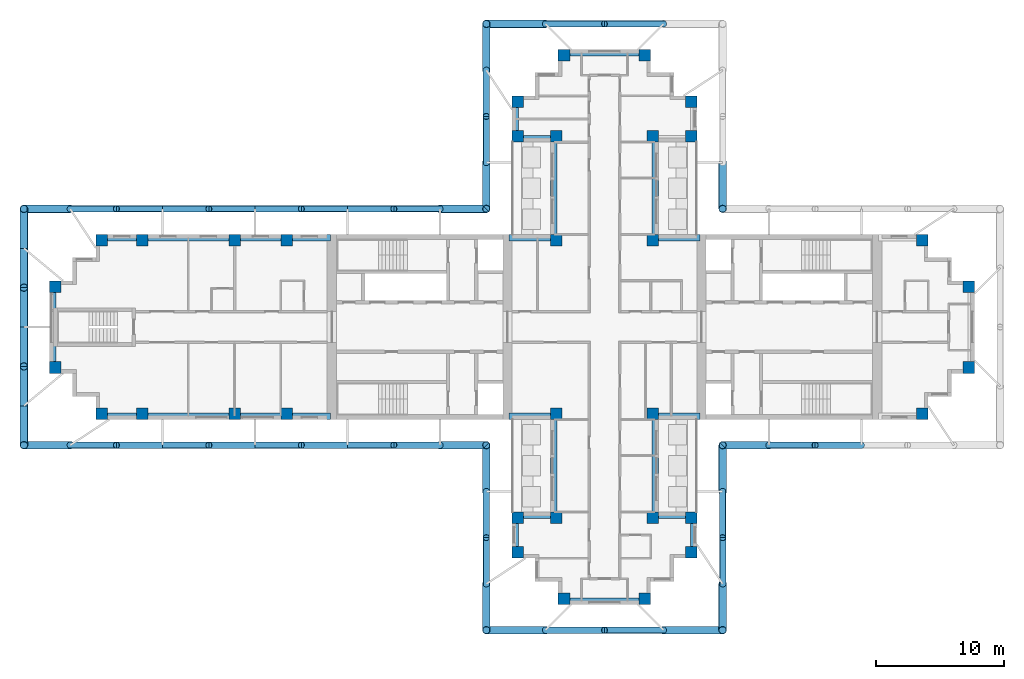
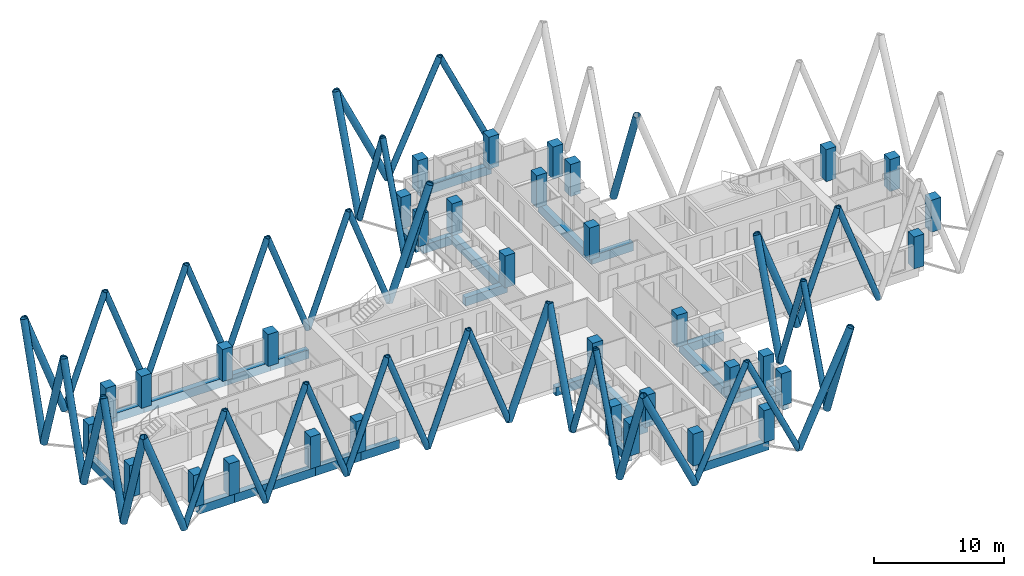
# One storey, part 1 of 12: 49 members, 34 columns, 25 beams.
"""IFC4 building model written with IfcOpenShell, lengths in metres."""

from ifc_helpers import new_model, si_unit, direction, frame, origin, origin_2d, place, context, subcontext, project, spatial, rectangle, hollow_circle, extrude, material, material_profile, profile_set, type_object, element, save


model = new_model("IFC4")

# Units and contexts
model_context = context("Model", 3, precision=1e-05, world=origin(), true_north=direction((0.0, 1.0)))
body_context = subcontext(model_context, "Body", "Model", "MODEL_VIEW")
ifc_project = project(units=[si_unit("LENGTHUNIT", "METRE"), si_unit("AREAUNIT", "SQUARE_METRE"), si_unit("VOLUMEUNIT", "CUBIC_METRE"), si_unit("PLANEANGLEUNIT", "RADIAN"), si_unit("MASSUNIT", "GRAM", prefix="KILO")], contexts=[model_context])

# Site, building, storey
site_placement = place(None, origin())
site = spatial("IfcSite", under=ifc_project, at=site_placement, CompositionType="ELEMENT")
building_placement = place(site_placement, origin())
building = spatial("IfcBuilding", under=site, at=building_placement, Name="Fustian Cross Tower", CompositionType="ELEMENT")
storey_placement = place(building_placement, frame((0.0, 0.0, 188.699951171875)))
storey = spatial("IfcBuildingStorey", under=building, at=storey_placement, Name="L59", CompositionType="ELEMENT", Elevation=188.699951171875)

# Columns
ifc_material_1 = material(Name="Concrete C40/50", Category="concrete")
ifc_material_profile_1 = material_profile(ifc_material_1, rectangle(XDim=0.89990234375, YDim=0.89990234375, at=origin_2d()), Name="RC 900x900")
ifc_profile_set_1 = profile_set([ifc_material_profile_1], Name="Concrete C40/50")
column_type = type_object("IfcColumnType", Name="COLUMN RC 900x900 C40/50", PredefinedType="COLUMN", material=ifc_profile_set_1)
for number, where, z_axis, x_axis, name in (
    (1, (-42.75, -3.14990234375, 0.0), (0.0, 0.0, 1.0), (1.0, 0.0, 0.0), "COLUMN 001"),
    (2, (-42.75, 3.14990234375, 0.0), (0.0, 0.0, 1.0), (1.0, 0.0, 0.0), "COLUMN 002"),
    (3, (-39.14990234375, -6.75, 0.0), (0.0, 0.0, 1.0), (1.0, 0.0, 0.0), "COLUMN 003"),
    (4, (-39.14990234375, 6.75, 0.0), (0.0, 0.0, 1.0), (1.0, 0.0, 0.0), "COLUMN 004"),
    (5, (-36.0, -6.75, 0.0), (0.0, 0.0, 1.0), (1.0, 0.0, 0.0), "COLUMN 005"),
    (6, (-36.0, 6.75, 0.0), (0.0, 0.0, 1.0), (1.0, 0.0, 0.0), "COLUMN 006"),
    (7, (-28.800048828125, -6.75, 0.0), (0.0, 0.0, 1.0), (1.0, 0.0, 0.0), "COLUMN 007"),
    (8, (-28.800048828125, 6.75, 0.0), (0.0, 0.0, 1.0), (1.0, 0.0, 0.0), "COLUMN 010"),
    (9, (-24.75, -6.75, 0.0), (0.0, 0.0, 1.0), (1.0, 0.0, 0.0), "COLUMN 011"),
    (10, (-24.75, 6.75, 0.0), (0.0, 0.0, 1.0), (1.0, 0.0, 0.0), "COLUMN 012"),
    (11, (-6.75, -17.550048828125, 0.0), (0.0, 0.0, 1.0), (1.0, 0.0, 0.0), "COLUMN 017"),
    (12, (-6.75, -14.85009765625, 0.0), (0.0, 0.0, 1.0), (1.0, 0.0, 0.0), "COLUMN 018"),
    (13, (-6.75, 14.85009765625, 0.0), (0.0, 0.0, 1.0), (1.0, 0.0, 0.0), "COLUMN 019"),
    (14, (-6.75, 17.550048828125, 0.0), (0.0, 0.0, 1.0), (1.0, 0.0, 0.0), "COLUMN 020"),
    (15, (-3.75, -14.85009765625, 0.0), (0.0, 0.0, 1.0), (1.0, 0.0, 0.0), "COLUMN 025"),
    (16, (-3.75, -6.75, 0.0), (0.0, 0.0, 1.0), (1.0, 0.0, 0.0), "COLUMN 026"),
    (17, (-3.75, 6.75, 0.0), (0.0, 0.0, 1.0), (1.0, 0.0, 0.0), "COLUMN 027"),
    (18, (-3.75, 14.85009765625, 0.0), (0.0, 0.0, 1.0), (1.0, 0.0, 0.0), "COLUMN 028"),
    (19, (-3.14990234375, -21.14990234375, 0.0), (0.0, 0.0, 1.0), (1.0, 0.0, 0.0), "COLUMN 030"),
    (20, (-3.14990234375, 21.14990234375, 0.0), (0.0, 0.0, 1.0), (1.0, 0.0, 0.0), "COLUMN 031"),
    (21, (3.14990234375, -21.14990234375, 0.0), (0.0, 0.0, 1.0), (1.0, 0.0, 0.0), "COLUMN 034"),
    (22, (3.14990234375, 21.14990234375, 0.0), (0.0, 0.0, 1.0), (1.0, 0.0, 0.0), "COLUMN 035"),
    (23, (3.75, -14.85009765625, 0.0), (0.0, 0.0, 1.0), (1.0, 0.0, 0.0), "COLUMN 037"),
    (24, (3.75, -6.75, 0.0), (0.0, 0.0, 1.0), (1.0, 0.0, 0.0), "COLUMN 038"),
    (25, (3.75, 6.75, 0.0), (0.0, 0.0, 1.0), (1.0, 0.0, 0.0), "COLUMN 039"),
    (26, (3.75, 14.85009765625, 0.0), (0.0, 0.0, 1.0), (1.0, 0.0, 0.0), "COLUMN 040"),
    (27, (6.75, -17.550048828125, 0.0), (0.0, 0.0, 1.0), (1.0, 0.0, 0.0), "COLUMN 045"),
    (28, (6.75, -14.85009765625, 0.0), (0.0, 0.0, 1.0), (1.0, 0.0, 0.0), "COLUMN 046"),
    (29, (6.75, 14.85009765625, 0.0), (0.0, 0.0, 1.0), (1.0, 0.0, 0.0), "COLUMN 047"),
    (30, (6.75, 17.550048828125, 0.0), (0.0, 0.0, 1.0), (1.0, 0.0, 0.0), "COLUMN 048"),
    (31, (24.75, -6.75, 0.0), (0.0, 0.0, 1.0), (1.0, 0.0, 0.0), "COLUMN 053"),
    (32, (24.75, 6.75, 0.0), (0.0, 0.0, 1.0), (1.0, 0.0, 0.0), "COLUMN 054"),
    (33, (28.35009765625, -3.14990234375, 0.0), (0.0, 0.0, 1.0), (1.0, 0.0, 0.0), "COLUMN 056"),
    (34, (28.35009765625, 3.14990234375, 0.0), (0.0, 0.0, 1.0), (1.0, 0.0, 0.0), "COLUMN 057"),
):
    element("IfcColumn", number, at=place(storey_placement, frame(where, z_axis=z_axis, x_axis=x_axis)), inside=storey, type_object=column_type, Name=name, PredefinedType="COLUMN", context=body_context, shape_type="SweptSolid", body=[
        extrude(rectangle(XDim=0.89990234375, YDim=0.89990234375, at=origin_2d()), origin(), (0.0, 0.0, 1.0), 3.0),
    ])

# Members
ifc_material_2 = material(Name="Steel S355", Category="steel")
ifc_material_profile_2 = material_profile(ifc_material_2, hollow_circle(Radius=0.25390625, WallThickness=0.02001953125, at=origin_2d()), Name="CHS 508x20")
ifc_profile_set_2 = profile_set([ifc_material_profile_2], Name="Steel S355")
member_type_1 = type_object("IfcMemberType", Name="DIAGRID DIAGONAL CHS 508x20", PredefinedType="BRACE", material=ifc_profile_set_2)
member_1_placement = place(storey_placement, frame((12.800048828125, -9.199951171875, 0.0), z_axis=(0.344803586443, 0.0, 0.938674856793), x_axis=(0.0, 1.0, 0.0)))
element("IfcMember", 35, at=member_1_placement, inside=storey, type_object=member_type_1, Name="Diagrid diagonal E-S 02", PredefinedType="BRACE", context=body_context, shape_type="SweptSolid", body=[
    extrude(hollow_circle(Radius=0.25390625, WallThickness=0.02001953125, at=origin_2d()), origin(), (0.0, 0.0, 1.0), 10.440185546875),
])
member_2_placement = place(storey_placement, frame((20.0, -9.199951171875, 0.0), z_axis=(-0.34482419047, 0.0, 0.938667288056), x_axis=(0.0, -1.0, 0.0)))
element("IfcMember", 36, at=member_2_placement, inside=storey, type_object=member_type_1, Name="Diagrid diagonal E-S 03", PredefinedType="BRACE", context=body_context, shape_type="SweptSolid", body=[
    extrude(hollow_circle(Radius=0.25390625, WallThickness=0.02001953125, at=origin_2d()), origin(), (0.0, 0.0, 1.0), 10.4404296875),
])
for number, where, z_axis, x_axis, name in (
    (37, (4.60009765625, 23.60009765625, 0.0), (-0.424912794088, 0.0, 0.90523428869), (0.0, -1.0, 0.0), "Diagrid diagonal N-end 02"),
    (38, (-4.60009765625, 23.60009765625, 0.0), (0.424912794088, 0.0, 0.90523428869), (0.0, 1.0, 0.0), "Diagrid diagonal N-end 03"),
):
    element("IfcMember", number, at=place(storey_placement, frame(where, z_axis=z_axis, x_axis=x_axis)), inside=storey, type_object=member_type_1, Name=name, PredefinedType="BRACE", context=body_context, shape_type="SweptSolid", body=[
        extrude(hollow_circle(Radius=0.25390625, WallThickness=0.02001953125, at=origin_2d()), origin(), (0.0, 0.0, 1.0), 10.825927734375),
    ])
member_3_placement = place(storey_placement, frame((-9.199951171875, 20.0, 0.0), z_axis=(0.0, -0.34482419047, 0.938667288056), x_axis=(1.0, 0.0, 0.0)))
element("IfcMember", 39, at=member_3_placement, inside=storey, type_object=member_type_1, Name="Diagrid diagonal N-W 02", PredefinedType="BRACE", context=body_context, shape_type="SweptSolid", body=[
    extrude(hollow_circle(Radius=0.25390625, WallThickness=0.02001953125, at=origin_2d()), origin(), (0.0, 0.0, 1.0), 10.4404296875),
])
for number, where, z_axis, x_axis, name in (
    (40, (-9.199951171875, 12.800048828125, 0.0), (0.0, 0.344803586443, 0.938674856793), (-1.0, 0.0, 0.0), "Diagrid diagonal N-W 03"),
    (41, (-12.800048828125, 9.199951171875, 0.0), (-0.344803586443, 0.0, 0.938674856793), (0.0, -1.0, 0.0), "Diagrid diagonal W-N 02"),
):
    element("IfcMember", number, at=place(storey_placement, frame(where, z_axis=z_axis, x_axis=x_axis)), inside=storey, type_object=member_type_1, Name=name, PredefinedType="BRACE", context=body_context, shape_type="SweptSolid", body=[
        extrude(hollow_circle(Radius=0.25390625, WallThickness=0.02001953125, at=origin_2d()), origin(), (0.0, 0.0, 1.0), 10.440185546875),
    ])
for number, where, z_axis, x_axis, name in (
    (42, (-20.0, 9.199951171875, 0.0), (0.34482419047, 0.0, 0.938667288056), (0.0, 1.0, 0.0), "Diagrid diagonal W-N 03"),
    (43, (-20.0, 9.199951171875, 0.0), (-0.34482419047, 0.0, 0.938667288056), (0.0, -1.0, 0.0), "Diagrid diagonal W-N 04"),
):
    element("IfcMember", number, at=place(storey_placement, frame(where, z_axis=z_axis, x_axis=x_axis)), inside=storey, type_object=member_type_1, Name=name, PredefinedType="BRACE", context=body_context, shape_type="SweptSolid", body=[
        extrude(hollow_circle(Radius=0.25390625, WallThickness=0.02001953125, at=origin_2d()), origin(), (0.0, 0.0, 1.0), 10.4404296875),
    ])
member_4_placement = place(storey_placement, frame((-27.199951171875, 9.199951171875, 0.0), z_axis=(0.344803586443, 0.0, 0.938674856793), x_axis=(0.0, 1.0, 0.0)))
element("IfcMember", 44, at=member_4_placement, inside=storey, type_object=member_type_1, Name="Diagrid diagonal W-N 05", PredefinedType="BRACE", context=body_context, shape_type="SweptSolid", body=[
    extrude(hollow_circle(Radius=0.25390625, WallThickness=0.02001953125, at=origin_2d()), origin(), (0.0, 0.0, 1.0), 10.440185546875),
])
member_5_placement = place(storey_placement, frame((-27.199951171875, 9.199951171875, 0.0), z_axis=(-0.34482419047, 0.0, 0.938667288056), x_axis=(0.0, -1.0, 0.0)))
element("IfcMember", 45, at=member_5_placement, inside=storey, type_object=member_type_1, Name="Diagrid diagonal W-N 06", PredefinedType="BRACE", context=body_context, shape_type="SweptSolid", body=[
    extrude(hollow_circle(Radius=0.25390625, WallThickness=0.02001953125, at=origin_2d()), origin(), (0.0, 0.0, 1.0), 10.4404296875),
])
member_6_placement = place(storey_placement, frame((-34.39990234375, 9.199951171875, 0.0), z_axis=(0.344803586443, 0.0, 0.938674856793), x_axis=(0.0, 1.0, 0.0)))
element("IfcMember", 46, at=member_6_placement, inside=storey, type_object=member_type_1, Name="Diagrid diagonal W-N 07", PredefinedType="BRACE", context=body_context, shape_type="SweptSolid", body=[
    extrude(hollow_circle(Radius=0.25390625, WallThickness=0.02001953125, at=origin_2d()), origin(), (0.0, 0.0, 1.0), 10.440185546875),
])
for number, where, z_axis, x_axis, name in (
    (47, (-34.39990234375, 9.199951171875, 0.0), (-0.34482419047, 0.0, 0.938667288056), (0.0, -1.0, 0.0), "Diagrid diagonal W-N 08"),
    (48, (-41.60009765625, 9.199951171875, 0.0), (0.34482419047, 0.0, 0.938667288056), (0.0, 1.0, 0.0), "Diagrid diagonal W-N 09"),
    (49, (-41.60009765625, -9.199951171875, 0.0), (0.34482419047, 0.0, 0.938667288056), (0.0, 1.0, 0.0), "Diagrid diagonal W-S 02"),
    (50, (-34.39990234375, -9.199951171875, 0.0), (-0.34482419047, 0.0, 0.938667288056), (0.0, -1.0, 0.0), "Diagrid diagonal W-S 03"),
):
    element("IfcMember", number, at=place(storey_placement, frame(where, z_axis=z_axis, x_axis=x_axis)), inside=storey, type_object=member_type_1, Name=name, PredefinedType="BRACE", context=body_context, shape_type="SweptSolid", body=[
        extrude(hollow_circle(Radius=0.25390625, WallThickness=0.02001953125, at=origin_2d()), origin(), (0.0, 0.0, 1.0), 10.4404296875),
    ])
member_7_placement = place(storey_placement, frame((-34.39990234375, -9.199951171875, 0.0), z_axis=(0.344803586443, 0.0, 0.938674856793), x_axis=(0.0, 1.0, 0.0)))
element("IfcMember", 51, at=member_7_placement, inside=storey, type_object=member_type_1, Name="Diagrid diagonal W-S 04", PredefinedType="BRACE", context=body_context, shape_type="SweptSolid", body=[
    extrude(hollow_circle(Radius=0.25390625, WallThickness=0.02001953125, at=origin_2d()), origin(), (0.0, 0.0, 1.0), 10.440185546875),
])
member_8_placement = place(storey_placement, frame((-27.199951171875, -9.199951171875, 0.0), z_axis=(-0.34482419047, 0.0, 0.938667288056), x_axis=(0.0, -1.0, 0.0)))
element("IfcMember", 52, at=member_8_placement, inside=storey, type_object=member_type_1, Name="Diagrid diagonal W-S 05", PredefinedType="BRACE", context=body_context, shape_type="SweptSolid", body=[
    extrude(hollow_circle(Radius=0.25390625, WallThickness=0.02001953125, at=origin_2d()), origin(), (0.0, 0.0, 1.0), 10.4404296875),
])
member_9_placement = place(storey_placement, frame((-27.199951171875, -9.199951171875, 0.0), z_axis=(0.344803586443, 0.0, 0.938674856793), x_axis=(0.0, 1.0, 0.0)))
element("IfcMember", 53, at=member_9_placement, inside=storey, type_object=member_type_1, Name="Diagrid diagonal W-S 06", PredefinedType="BRACE", context=body_context, shape_type="SweptSolid", body=[
    extrude(hollow_circle(Radius=0.25390625, WallThickness=0.02001953125, at=origin_2d()), origin(), (0.0, 0.0, 1.0), 10.440185546875),
])
for number, where, z_axis, x_axis, name in (
    (54, (-20.0, -9.199951171875, 0.0), (-0.34482419047, 0.0, 0.938667288056), (0.0, -1.0, 0.0), "Diagrid diagonal W-S 07"),
    (55, (-20.0, -9.199951171875, 0.0), (0.34482419047, 0.0, 0.938667288056), (0.0, 1.0, 0.0), "Diagrid diagonal W-S 08"),
):
    element("IfcMember", number, at=place(storey_placement, frame(where, z_axis=z_axis, x_axis=x_axis)), inside=storey, type_object=member_type_1, Name=name, PredefinedType="BRACE", context=body_context, shape_type="SweptSolid", body=[
        extrude(hollow_circle(Radius=0.25390625, WallThickness=0.02001953125, at=origin_2d()), origin(), (0.0, 0.0, 1.0), 10.4404296875),
    ])
for number, where, z_axis, x_axis, name in (
    (56, (-12.800048828125, -9.199951171875, 0.0), (-0.344803586443, 0.0, 0.938674856793), (0.0, -1.0, 0.0), "Diagrid diagonal W-S 09"),
    (57, (-9.199951171875, -12.800048828125, 0.0), (0.0, -0.344803586443, 0.938674856793), (1.0, 0.0, 0.0), "Diagrid diagonal S-W 02"),
):
    element("IfcMember", number, at=place(storey_placement, frame(where, z_axis=z_axis, x_axis=x_axis)), inside=storey, type_object=member_type_1, Name=name, PredefinedType="BRACE", context=body_context, shape_type="SweptSolid", body=[
        extrude(hollow_circle(Radius=0.25390625, WallThickness=0.02001953125, at=origin_2d()), origin(), (0.0, 0.0, 1.0), 10.440185546875),
    ])
member_10_placement = place(storey_placement, frame((-9.199951171875, -20.0, 0.0), z_axis=(0.0, 0.34482419047, 0.938667288056), x_axis=(-1.0, 0.0, 0.0)))
element("IfcMember", 58, at=member_10_placement, inside=storey, type_object=member_type_1, Name="Diagrid diagonal S-W 03", PredefinedType="BRACE", context=body_context, shape_type="SweptSolid", body=[
    extrude(hollow_circle(Radius=0.25390625, WallThickness=0.02001953125, at=origin_2d()), origin(), (0.0, 0.0, 1.0), 10.4404296875),
])
for number, where, z_axis, x_axis, name in (
    (59, (-4.60009765625, -23.60009765625, 0.0), (0.424912794088, 0.0, 0.90523428869), (0.0, 1.0, 0.0), "Diagrid diagonal S-end 02"),
    (60, (4.60009765625, -23.60009765625, 0.0), (-0.424912794088, 0.0, 0.90523428869), (0.0, -1.0, 0.0), "Diagrid diagonal S-end 03"),
):
    element("IfcMember", number, at=place(storey_placement, frame(where, z_axis=z_axis, x_axis=x_axis)), inside=storey, type_object=member_type_1, Name=name, PredefinedType="BRACE", context=body_context, shape_type="SweptSolid", body=[
        extrude(hollow_circle(Radius=0.25390625, WallThickness=0.02001953125, at=origin_2d()), origin(), (0.0, 0.0, 1.0), 10.825927734375),
    ])
member_11_placement = place(storey_placement, frame((9.199951171875, -20.0, 0.0), z_axis=(0.0, 0.34482419047, 0.938667288056), x_axis=(-1.0, 0.0, 0.0)))
element("IfcMember", 61, at=member_11_placement, inside=storey, type_object=member_type_1, Name="Diagrid diagonal S-E 02", PredefinedType="BRACE", context=body_context, shape_type="SweptSolid", body=[
    extrude(hollow_circle(Radius=0.25390625, WallThickness=0.02001953125, at=origin_2d()), origin(), (0.0, 0.0, 1.0), 10.4404296875),
])
member_12_placement = place(storey_placement, frame((9.199951171875, -12.800048828125, 0.0), z_axis=(0.0, -0.344803586443, 0.938674856793), x_axis=(1.0, 0.0, 0.0)))
element("IfcMember", 62, at=member_12_placement, inside=storey, type_object=member_type_1, Name="Diagrid diagonal S-E 03", PredefinedType="BRACE", context=body_context, shape_type="SweptSolid", body=[
    extrude(hollow_circle(Radius=0.25390625, WallThickness=0.02001953125, at=origin_2d()), origin(), (0.0, 0.0, 1.0), 10.440185546875),
])
ifc_material_3 = material(Name="Steel S355", Category="steel")
ifc_material_profile_3 = material_profile(ifc_material_3, hollow_circle(Radius=0.3046875, WallThickness=0.02490234375, at=origin_2d()), Name="CHS 610x25")
ifc_profile_set_3 = profile_set([ifc_material_profile_3], Name="Steel S355")
member_type_2 = type_object("IfcMemberType", Name="DIAGRID DIAGONAL CHS 610x25", PredefinedType="BRACE", material=ifc_profile_set_3)
for number, where, z_axis, x_axis, name in (
    (63, (12.800048828125, -9.199951171875, 0.0), (-0.34482419047, 0.0, 0.938667288056), (0.0, -1.0, 0.0), "Diagrid diagonal E-S 01"),
    (64, (9.199951171875, 12.800048828125, 0.0), (0.0, -0.34482419047, 0.938667288056), (1.0, 0.0, 0.0), "Diagrid diagonal N-E 01"),
):
    element("IfcMember", number, at=place(storey_placement, frame(where, z_axis=z_axis, x_axis=x_axis)), inside=storey, type_object=member_type_2, Name=name, PredefinedType="BRACE", context=body_context, shape_type="SweptSolid", body=[
        extrude(hollow_circle(Radius=0.3046875, WallThickness=0.02490234375, at=origin_2d()), origin(), (0.0, 0.0, 1.0), 10.4404296875),
    ])
member_13_placement = place(storey_placement, frame((-4.60009765625, 23.60009765625, 0.0), z_axis=(-0.424894314128, 0.0, 0.905242962868), x_axis=(0.0, -1.0, 0.0)))
element("IfcMember", 65, at=member_13_placement, inside=storey, type_object=member_type_2, Name="Diagrid diagonal N-end 04", PredefinedType="BRACE", context=body_context, shape_type="SweptSolid", body=[
    extrude(hollow_circle(Radius=0.3046875, WallThickness=0.02490234375, at=origin_2d()), origin(), (0.0, 0.0, 1.0), 10.825927734375),
])
for number, where, z_axis, x_axis, name in (
    (66, (-9.199951171875, 20.0, 0.0), (0.0, 0.34482419047, 0.938667288056), (-1.0, 0.0, 0.0), "Diagrid diagonal N-W 01"),
    (67, (-9.199951171875, 12.800048828125, 0.0), (0.0, -0.34482419047, 0.938667288056), (1.0, 0.0, 0.0), "Diagrid diagonal N-W 04"),
    (68, (-12.800048828125, 9.199951171875, 0.0), (0.34482419047, 0.0, 0.938667288056), (0.0, 1.0, 0.0), "Diagrid diagonal W-N 01"),
):
    element("IfcMember", number, at=place(storey_placement, frame(where, z_axis=z_axis, x_axis=x_axis)), inside=storey, type_object=member_type_2, Name=name, PredefinedType="BRACE", context=body_context, shape_type="SweptSolid", body=[
        extrude(hollow_circle(Radius=0.3046875, WallThickness=0.02490234375, at=origin_2d()), origin(), (0.0, 0.0, 1.0), 10.4404296875),
    ])
member_14_placement = place(storey_placement, frame((-41.60009765625, 9.199951171875, 0.0), z_axis=(-0.344803586443, 0.0, 0.938674856793), x_axis=(0.0, -1.0, 0.0)))
element("IfcMember", 69, at=member_14_placement, inside=storey, type_object=member_type_2, Name="Diagrid diagonal W-N 10", PredefinedType="BRACE", context=body_context, shape_type="SweptSolid", body=[
    extrude(hollow_circle(Radius=0.3046875, WallThickness=0.02490234375, at=origin_2d()), origin(), (0.0, 0.0, 1.0), 10.440185546875),
])
for number, where, z_axis, x_axis, name in (
    (70, (-45.199951171875, 6.13330078125, 0.0), (0.0, 0.298641838729, 0.954365261397), (-1.0, 0.0, 0.0), "Diagrid diagonal W-end 01"),
    (71, (-45.199951171875, 6.13330078125, 0.0), (0.0, -0.298641838729, 0.954365261397), (1.0, 0.0, 0.0), "Diagrid diagonal W-end 02"),
    (72, (-45.199951171875, 0.0, 0.0), (0.0, 0.298641838729, 0.954365261397), (-1.0, 0.0, 0.0), "Diagrid diagonal W-end 03"),
    (73, (-45.199951171875, 0.0, 0.0), (0.0, -0.298641838729, 0.954365261397), (1.0, 0.0, 0.0), "Diagrid diagonal W-end 04"),
    (74, (-45.199951171875, -6.13330078125, 0.0), (0.0, 0.298641838729, 0.954365261397), (-1.0, 0.0, 0.0), "Diagrid diagonal W-end 05"),
    (75, (-45.199951171875, -6.13330078125, 0.0), (0.0, -0.298641838729, 0.954365261397), (1.0, 0.0, 0.0), "Diagrid diagonal W-end 06"),
):
    element("IfcMember", number, at=place(storey_placement, frame(where, z_axis=z_axis, x_axis=x_axis)), inside=storey, type_object=member_type_2, Name=name, PredefinedType="BRACE", context=body_context, shape_type="SweptSolid", body=[
        extrude(hollow_circle(Radius=0.3046875, WallThickness=0.02490234375, at=origin_2d()), origin(), (0.0, 0.0, 1.0), 10.2685546875),
    ])
member_15_placement = place(storey_placement, frame((-41.60009765625, -9.199951171875, 0.0), z_axis=(-0.344803586443, 0.0, 0.938674856793), x_axis=(0.0, -1.0, 0.0)))
element("IfcMember", 76, at=member_15_placement, inside=storey, type_object=member_type_2, Name="Diagrid diagonal W-S 01", PredefinedType="BRACE", context=body_context, shape_type="SweptSolid", body=[
    extrude(hollow_circle(Radius=0.3046875, WallThickness=0.02490234375, at=origin_2d()), origin(), (0.0, 0.0, 1.0), 10.440185546875),
])
for number, where, z_axis, x_axis, name in (
    (77, (-12.800048828125, -9.199951171875, 0.0), (0.34482419047, 0.0, 0.938667288056), (0.0, 1.0, 0.0), "Diagrid diagonal W-S 10"),
    (78, (-9.199951171875, -12.800048828125, 0.0), (0.0, 0.34482419047, 0.938667288056), (-1.0, 0.0, 0.0), "Diagrid diagonal S-W 01"),
    (79, (-9.199951171875, -20.0, 0.0), (0.0, -0.34482419047, 0.938667288056), (1.0, 0.0, 0.0), "Diagrid diagonal S-W 04"),
):
    element("IfcMember", number, at=place(storey_placement, frame(where, z_axis=z_axis, x_axis=x_axis)), inside=storey, type_object=member_type_2, Name=name, PredefinedType="BRACE", context=body_context, shape_type="SweptSolid", body=[
        extrude(hollow_circle(Radius=0.3046875, WallThickness=0.02490234375, at=origin_2d()), origin(), (0.0, 0.0, 1.0), 10.4404296875),
    ])
for number, where, z_axis, x_axis, name in (
    (80, (-4.60009765625, -23.60009765625, 0.0), (-0.424894314128, 0.0, 0.905242962868), (0.0, -1.0, 0.0), "Diagrid diagonal S-end 01"),
    (81, (4.60009765625, -23.60009765625, 0.0), (0.424894314128, 0.0, 0.905242962868), (0.0, 1.0, 0.0), "Diagrid diagonal S-end 04"),
):
    element("IfcMember", number, at=place(storey_placement, frame(where, z_axis=z_axis, x_axis=x_axis)), inside=storey, type_object=member_type_2, Name=name, PredefinedType="BRACE", context=body_context, shape_type="SweptSolid", body=[
        extrude(hollow_circle(Radius=0.3046875, WallThickness=0.02490234375, at=origin_2d()), origin(), (0.0, 0.0, 1.0), 10.825927734375),
    ])
for number, where, z_axis, x_axis, name in (
    (82, (9.199951171875, -20.0, 0.0), (0.0, -0.34482419047, 0.938667288056), (1.0, 0.0, 0.0), "Diagrid diagonal S-E 01"),
    (83, (9.199951171875, -12.800048828125, 0.0), (0.0, 0.34482419047, 0.938667288056), (-1.0, 0.0, 0.0), "Diagrid diagonal S-E 04"),
):
    element("IfcMember", number, at=place(storey_placement, frame(where, z_axis=z_axis, x_axis=x_axis)), inside=storey, type_object=member_type_2, Name=name, PredefinedType="BRACE", context=body_context, shape_type="SweptSolid", body=[
        extrude(hollow_circle(Radius=0.3046875, WallThickness=0.02490234375, at=origin_2d()), origin(), (0.0, 0.0, 1.0), 10.4404296875),
    ])

# Beams
ifc_material_4 = material(Name="Concrete C50/60", Category="concrete")
ifc_material_profile_4 = material_profile(ifc_material_4, rectangle(XDim=0.5, YDim=0.800048828125, at=origin_2d()), Name="RC 500x800")
ifc_profile_set_4 = profile_set([ifc_material_profile_4], Name="Concrete C50/60")
beam_type = type_object("IfcBeamType", Name="EDGE BEAM RC 500x800 C50/60", PredefinedType="SPANDREL", material=ifc_profile_set_4)
beam_1_placement = place(storey_placement, frame((7.449951171875, 6.949951171875, -0.39990234375), z_axis=(-1.0, 0.0, 0.0), x_axis=(0.0, -1.0, 0.0)))
element("IfcBeam", 84, at=beam_1_placement, inside=storey, type_object=beam_type, Name="EDGE BEAM L59-04", PredefinedType="SPANDREL", context=body_context, shape_type="SweptSolid", body=[
    extrude(rectangle(XDim=0.5, YDim=0.800048828125, at=origin_2d()), origin(), (0.0, 0.0, 1.0), 3.699951171875),
])
beam_2_placement = place(storey_placement, frame((3.949951171875, 6.75, -0.39990234375), z_axis=(0.0, 1.0, 0.0), x_axis=(-1.0, 0.0, 0.0)))
element("IfcBeam", 85, at=beam_2_placement, inside=storey, type_object=beam_type, Name="EDGE BEAM L59-05", PredefinedType="SPANDREL", context=body_context, shape_type="SweptSolid", body=[
    extrude(rectangle(XDim=0.5, YDim=0.800048828125, at=origin_2d()), origin(), (0.0, 0.0, 1.0), 8.10009765625),
])
beam_3_placement = place(storey_placement, frame((3.14990234375, 21.35009765625, -0.39990234375), z_axis=(-1.0, 0.0, 0.0), x_axis=(0.0, -1.0, 0.0)))
element("IfcBeam", 86, at=beam_3_placement, inside=storey, type_object=beam_type, Name="EDGE BEAM L59-08", PredefinedType="SPANDREL", context=body_context, shape_type="SweptSolid", body=[
    extrude(rectangle(XDim=0.5, YDim=0.800048828125, at=origin_2d()), origin(), (0.0, 0.0, 1.0), 6.2998046875),
])
beam_4_placement = place(storey_placement, frame((-6.949951171875, 17.550048828125, -0.39990234375), z_axis=(0.0, -1.0, 0.0), x_axis=(1.0, 0.0, 0.0)))
element("IfcBeam", 87, at=beam_4_placement, inside=storey, type_object=beam_type, Name="EDGE BEAM L59-09", PredefinedType="SPANDREL", context=body_context, shape_type="SweptSolid", body=[
    extrude(rectangle(XDim=0.5, YDim=0.800048828125, at=origin_2d()), origin(), (0.0, 0.0, 1.0), 2.699951171875),
])
beam_5_placement = place(storey_placement, frame((-6.75, 14.64990234375, -0.39990234375), z_axis=(1.0, 0.0, 0.0), x_axis=(0.0, 1.0, 0.0)))
element("IfcBeam", 88, at=beam_5_placement, inside=storey, type_object=beam_type, Name="EDGE BEAM L59-10", PredefinedType="SPANDREL", context=body_context, shape_type="SweptSolid", body=[
    extrude(rectangle(XDim=0.5, YDim=0.800048828125, at=origin_2d()), origin(), (0.0, 0.0, 1.0), 3.0),
])
beam_6_placement = place(storey_placement, frame((-3.949951171875, 14.85009765625, -0.39990234375), z_axis=(0.0, -1.0, 0.0), x_axis=(1.0, 0.0, 0.0)))
element("IfcBeam", 89, at=beam_6_placement, inside=storey, type_object=beam_type, Name="EDGE BEAM L59-11", PredefinedType="SPANDREL", context=body_context, shape_type="SweptSolid", body=[
    extrude(rectangle(XDim=0.5, YDim=0.800048828125, at=origin_2d()), origin(), (0.0, 0.0, 1.0), 8.10009765625),
])
beam_7_placement = place(storey_placement, frame((-3.75, 6.949951171875, -0.39990234375), z_axis=(-1.0, 0.0, 0.0), x_axis=(0.0, -1.0, 0.0)))
element("IfcBeam", 90, at=beam_7_placement, inside=storey, type_object=beam_type, Name="EDGE BEAM L59-12", PredefinedType="SPANDREL", context=body_context, shape_type="SweptSolid", body=[
    extrude(rectangle(XDim=0.5, YDim=0.800048828125, at=origin_2d()), origin(), (0.0, 0.0, 1.0), 3.699951171875),
])
beam_8_placement = place(storey_placement, frame((-21.35009765625, 6.949951171875, -0.39990234375), z_axis=(-1.0, 0.0, 0.0), x_axis=(0.0, -1.0, 0.0)))
element("IfcBeam", 91, at=beam_8_placement, inside=storey, type_object=beam_type, Name="EDGE BEAM L59-13", PredefinedType="SPANDREL", context=body_context, shape_type="SweptSolid", body=[
    extrude(rectangle(XDim=0.5, YDim=0.800048828125, at=origin_2d()), origin(), (0.0, 0.0, 1.0), 3.39990234375),
])
beam_9_placement = place(storey_placement, frame((-24.75, 6.949951171875, -0.39990234375), z_axis=(-1.0, 0.0, 0.0), x_axis=(0.0, -1.0, 0.0)))
element("IfcBeam", 92, at=beam_9_placement, inside=storey, type_object=beam_type, Name="EDGE BEAM L59-14", PredefinedType="SPANDREL", context=body_context, shape_type="SweptSolid", body=[
    extrude(rectangle(XDim=0.5, YDim=0.800048828125, at=origin_2d()), origin(), (0.0, 0.0, 1.0), 4.050048828125),
])
beam_10_placement = place(storey_placement, frame((-28.800048828125, 6.949951171875, -0.39990234375), z_axis=(-1.0, 0.0, 0.0), x_axis=(0.0, -1.0, 0.0)))
element("IfcBeam", 93, at=beam_10_placement, inside=storey, type_object=beam_type, Name="EDGE BEAM L59-15", PredefinedType="SPANDREL", context=body_context, shape_type="SweptSolid", body=[
    extrude(rectangle(XDim=0.5, YDim=0.800048828125, at=origin_2d()), origin(), (0.0, 0.0, 1.0), 7.199951171875),
])
beam_11_placement = place(storey_placement, frame((-36.0, 6.949951171875, -0.39990234375), z_axis=(-1.0, 0.0, 0.0), x_axis=(0.0, -1.0, 0.0)))
element("IfcBeam", 94, at=beam_11_placement, inside=storey, type_object=beam_type, Name="EDGE BEAM L59-16", PredefinedType="SPANDREL", context=body_context, shape_type="SweptSolid", body=[
    extrude(rectangle(XDim=0.5, YDim=0.800048828125, at=origin_2d()), origin(), (0.0, 0.0, 1.0), 3.14990234375),
])
beam_12_placement = place(storey_placement, frame((-42.949951171875, 3.14990234375, -0.39990234375), z_axis=(0.0, -1.0, 0.0), x_axis=(1.0, 0.0, 0.0)))
element("IfcBeam", 95, at=beam_12_placement, inside=storey, type_object=beam_type, Name="EDGE BEAM L59-17", PredefinedType="SPANDREL", context=body_context, shape_type="SweptSolid", body=[
    extrude(rectangle(XDim=0.5, YDim=0.800048828125, at=origin_2d()), origin(), (0.0, 0.0, 1.0), 6.2998046875),
])
beam_13_placement = place(storey_placement, frame((-39.14990234375, -6.949951171875, -0.39990234375), z_axis=(1.0, 0.0, 0.0), x_axis=(0.0, 1.0, 0.0)))
element("IfcBeam", 96, at=beam_13_placement, inside=storey, type_object=beam_type, Name="EDGE BEAM L59-18", PredefinedType="SPANDREL", context=body_context, shape_type="SweptSolid", body=[
    extrude(rectangle(XDim=0.5, YDim=0.800048828125, at=origin_2d()), origin(), (0.0, 0.0, 1.0), 3.14990234375),
])
beam_14_placement = place(storey_placement, frame((-36.0, -6.949951171875, -0.39990234375), z_axis=(1.0, 0.0, 0.0), x_axis=(0.0, 1.0, 0.0)))
element("IfcBeam", 97, at=beam_14_placement, inside=storey, type_object=beam_type, Name="EDGE BEAM L59-19", PredefinedType="SPANDREL", context=body_context, shape_type="SweptSolid", body=[
    extrude(rectangle(XDim=0.5, YDim=0.800048828125, at=origin_2d()), origin(), (0.0, 0.0, 1.0), 7.199951171875),
])
beam_15_placement = place(storey_placement, frame((-28.800048828125, -6.949951171875, -0.39990234375), z_axis=(1.0, 0.0, 0.0), x_axis=(0.0, 1.0, 0.0)))
element("IfcBeam", 98, at=beam_15_placement, inside=storey, type_object=beam_type, Name="EDGE BEAM L59-20", PredefinedType="SPANDREL", context=body_context, shape_type="SweptSolid", body=[
    extrude(rectangle(XDim=0.5, YDim=0.800048828125, at=origin_2d()), origin(), (0.0, 0.0, 1.0), 4.050048828125),
])
beam_16_placement = place(storey_placement, frame((-24.75, -6.949951171875, -0.39990234375), z_axis=(1.0, 0.0, 0.0), x_axis=(0.0, 1.0, 0.0)))
element("IfcBeam", 99, at=beam_16_placement, inside=storey, type_object=beam_type, Name="EDGE BEAM L59-21", PredefinedType="SPANDREL", context=body_context, shape_type="SweptSolid", body=[
    extrude(rectangle(XDim=0.5, YDim=0.800048828125, at=origin_2d()), origin(), (0.0, 0.0, 1.0), 3.39990234375),
])
beam_17_placement = place(storey_placement, frame((-7.449951171875, -6.949951171875, -0.39990234375), z_axis=(1.0, 0.0, 0.0), x_axis=(0.0, 1.0, 0.0)))
element("IfcBeam", 100, at=beam_17_placement, inside=storey, type_object=beam_type, Name="EDGE BEAM L59-22", PredefinedType="SPANDREL", context=body_context, shape_type="SweptSolid", body=[
    extrude(rectangle(XDim=0.5, YDim=0.800048828125, at=origin_2d()), origin(), (0.0, 0.0, 1.0), 3.699951171875),
])
beam_18_placement = place(storey_placement, frame((-3.949951171875, -6.75, -0.39990234375), z_axis=(0.0, -1.0, 0.0), x_axis=(1.0, 0.0, 0.0)))
element("IfcBeam", 101, at=beam_18_placement, inside=storey, type_object=beam_type, Name="EDGE BEAM L59-23", PredefinedType="SPANDREL", context=body_context, shape_type="SweptSolid", body=[
    extrude(rectangle(XDim=0.5, YDim=0.800048828125, at=origin_2d()), origin(), (0.0, 0.0, 1.0), 8.10009765625),
])
beam_19_placement = place(storey_placement, frame((-3.75, -14.64990234375, -0.39990234375), z_axis=(-1.0, 0.0, 0.0), x_axis=(0.0, -1.0, 0.0)))
element("IfcBeam", 102, at=beam_19_placement, inside=storey, type_object=beam_type, Name="EDGE BEAM L59-24", PredefinedType="SPANDREL", context=body_context, shape_type="SweptSolid", body=[
    extrude(rectangle(XDim=0.5, YDim=0.800048828125, at=origin_2d()), origin(), (0.0, 0.0, 1.0), 3.0),
])
beam_20_placement = place(storey_placement, frame((-6.949951171875, -14.85009765625, -0.39990234375), z_axis=(0.0, -1.0, 0.0), x_axis=(1.0, 0.0, 0.0)))
element("IfcBeam", 103, at=beam_20_placement, inside=storey, type_object=beam_type, Name="EDGE BEAM L59-25", PredefinedType="SPANDREL", context=body_context, shape_type="SweptSolid", body=[
    extrude(rectangle(XDim=0.5, YDim=0.800048828125, at=origin_2d()), origin(), (0.0, 0.0, 1.0), 2.699951171875),
])
beam_21_placement = place(storey_placement, frame((-3.14990234375, -21.35009765625, -0.39990234375), z_axis=(1.0, 0.0, 0.0), x_axis=(0.0, 1.0, 0.0)))
element("IfcBeam", 104, at=beam_21_placement, inside=storey, type_object=beam_type, Name="EDGE BEAM L59-26", PredefinedType="SPANDREL", context=body_context, shape_type="SweptSolid", body=[
    extrude(rectangle(XDim=0.5, YDim=0.800048828125, at=origin_2d()), origin(), (0.0, 0.0, 1.0), 6.2998046875),
])
beam_22_placement = place(storey_placement, frame((6.949951171875, -17.550048828125, -0.39990234375), z_axis=(0.0, 1.0, 0.0), x_axis=(-1.0, 0.0, 0.0)))
element("IfcBeam", 105, at=beam_22_placement, inside=storey, type_object=beam_type, Name="EDGE BEAM L59-27", PredefinedType="SPANDREL", context=body_context, shape_type="SweptSolid", body=[
    extrude(rectangle(XDim=0.5, YDim=0.800048828125, at=origin_2d()), origin(), (0.0, 0.0, 1.0), 2.699951171875),
])
beam_23_placement = place(storey_placement, frame((6.75, -14.64990234375, -0.39990234375), z_axis=(-1.0, 0.0, 0.0), x_axis=(0.0, -1.0, 0.0)))
element("IfcBeam", 106, at=beam_23_placement, inside=storey, type_object=beam_type, Name="EDGE BEAM L59-28", PredefinedType="SPANDREL", context=body_context, shape_type="SweptSolid", body=[
    extrude(rectangle(XDim=0.5, YDim=0.800048828125, at=origin_2d()), origin(), (0.0, 0.0, 1.0), 3.0),
])
beam_24_placement = place(storey_placement, frame((3.949951171875, -14.85009765625, -0.39990234375), z_axis=(0.0, 1.0, 0.0), x_axis=(-1.0, 0.0, 0.0)))
element("IfcBeam", 107, at=beam_24_placement, inside=storey, type_object=beam_type, Name="EDGE BEAM L59-29", PredefinedType="SPANDREL", context=body_context, shape_type="SweptSolid", body=[
    extrude(rectangle(XDim=0.5, YDim=0.800048828125, at=origin_2d()), origin(), (0.0, 0.0, 1.0), 8.10009765625),
])
beam_25_placement = place(storey_placement, frame((3.75, -6.949951171875, -0.39990234375), z_axis=(1.0, 0.0, 0.0), x_axis=(0.0, 1.0, 0.0)))
element("IfcBeam", 108, at=beam_25_placement, inside=storey, type_object=beam_type, Name="EDGE BEAM L59-30", PredefinedType="SPANDREL", context=body_context, shape_type="SweptSolid", body=[
    extrude(rectangle(XDim=0.5, YDim=0.800048828125, at=origin_2d()), origin(), (0.0, 0.0, 1.0), 3.699951171875),
])

save(model, "model.ifc")
